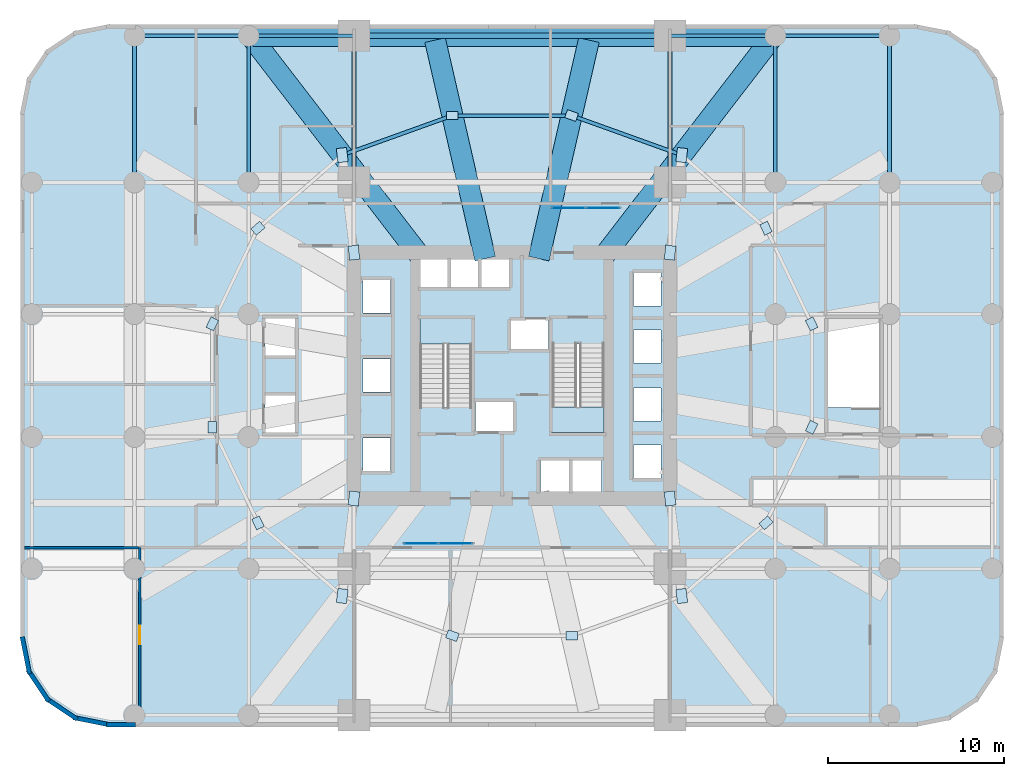
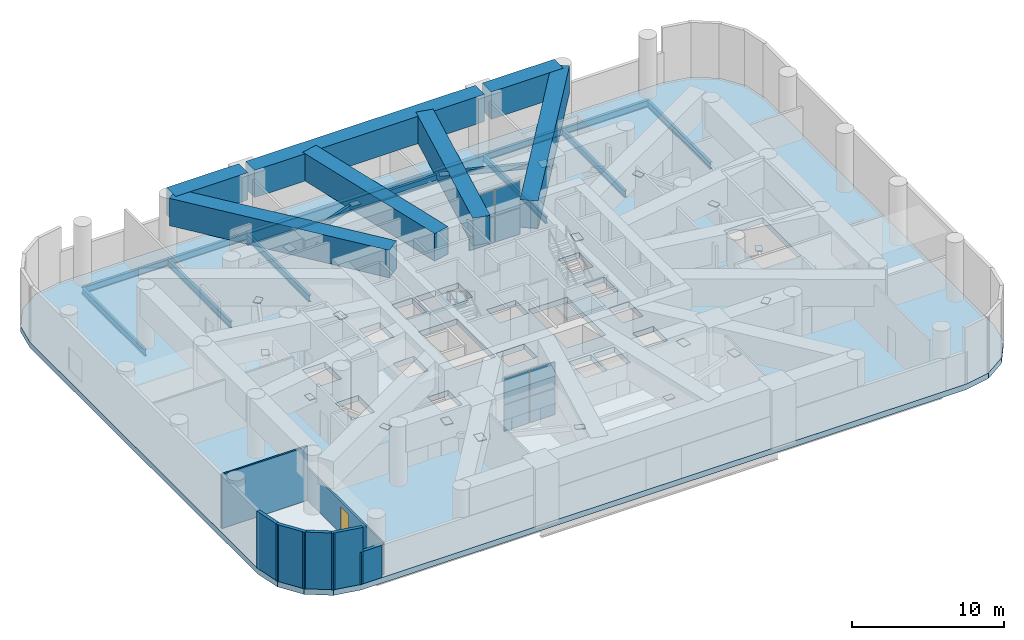
# One storey, part 5 of 10: 28 plates, 18 beams, 7 walls, 3 members, 3 slabs, 1 door, 1 opening, 4 elements without a shape of their own.
"""IFC4 building model written with IfcOpenShell, lengths in metres."""

from ifc_helpers import new_model, si_unit, direction, frame, frame_2d, origin, origin_2d, place, context, subcontext, project, spatial, polyline, rectangle, hollow_rectangle, i_section, outline, extrude, material, layer, layer_set, material_profile, profile_set, type_object, element, fill, aggregate, save


model = new_model("IFC4")

# Units and contexts
model_context = context("Model", 3, precision=1e-05, world=origin(), true_north=direction((0.0, 1.0)))
body_context = subcontext(model_context, "Body", "Model", "MODEL_VIEW")
ifc_project = project(units=[si_unit("LENGTHUNIT", "METRE"), si_unit("AREAUNIT", "SQUARE_METRE"), si_unit("VOLUMEUNIT", "CUBIC_METRE"), si_unit("PLANEANGLEUNIT", "RADIAN"), si_unit("MASSUNIT", "GRAM", prefix="KILO")], contexts=[model_context])

# Site, building, storey
site_placement = place(None, origin())
site = spatial("IfcSite", under=ifc_project, at=site_placement, CompositionType="ELEMENT")
building_placement = place(site_placement, origin())
building = spatial("IfcBuilding", under=site, at=building_placement, Name="Veldorim Arch Residences", CompositionType="ELEMENT")
storey_placement = place(building_placement, frame((0.0, 0.0, 20.0)))
storey = spatial("IfcBuildingStorey", under=building, at=storey_placement, Name="L05", CompositionType="ELEMENT", Elevation=20.0)

# Beams
ifc_material_1 = material(Name="Concrete C60/75", Category="concrete")
ifc_material_profile_1 = material_profile(ifc_material_1, rectangle(XDim=1.199951171875, YDim=2.199951171875, at=origin_2d()), Name="RC_RECT_1200x2200")
ifc_profile_set_1 = profile_set([ifc_material_profile_1], Name="Concrete C60/75")
beam_type_1 = type_object("IfcBeamType", Name="Reinforced Concrete TRANSFER GIRDER RC_RECT_1200x2200", PredefinedType="USERDEFINED", material=ifc_profile_set_1)
beam_1_placement = place(storey_placement, frame((17.25, 43.35009765625, 3.699951171875), z_axis=(1.0, 0.0, 0.0), x_axis=(0.0, 1.0, 0.0)))
element("IfcBeam", 1, at=beam_1_placement, inside=storey, type_object=beam_type_1, Name="L05 primary east-west transfer girder Y=43.35 W", ObjectType="TRANSFER GIRDER", PredefinedType="USERDEFINED", context=body_context, shape_type="SweptSolid", body=[
    extrude(rectangle(XDim=1.199951171875, YDim=2.199951171875, at=origin_2d()), origin(), (0.0, 0.0, 1.0), 5.5),
])
beam_2_placement = place(storey_placement, frame((23.25, 43.35009765625, 3.699951171875), z_axis=(1.0, 0.0, 0.0), x_axis=(0.0, 1.0, 0.0)))
element("IfcBeam", 2, at=beam_2_placement, inside=storey, type_object=beam_type_1, Name="L05 primary east-west transfer girder Y=43.35 M", ObjectType="TRANSFER GIRDER", PredefinedType="USERDEFINED", context=body_context, shape_type="SweptSolid", body=[
    extrude(rectangle(XDim=1.199951171875, YDim=2.199951171875, at=origin_2d()), origin(), (0.0, 0.0, 1.0), 17.5),
])
beam_3_placement = place(storey_placement, frame((41.25, 43.35009765625, 3.699951171875), z_axis=(1.0, 0.0, 0.0), x_axis=(0.0, 1.0, 0.0)))
element("IfcBeam", 3, at=beam_3_placement, inside=storey, type_object=beam_type_1, Name="L05 primary east-west transfer girder Y=43.35 E", ObjectType="TRANSFER GIRDER", PredefinedType="USERDEFINED", context=body_context, shape_type="SweptSolid", body=[
    extrude(rectangle(XDim=1.199951171875, YDim=2.199951171875, at=origin_2d()), origin(), (0.0, 0.0, 1.0), 5.5),
])
beam_4_placement = place(storey_placement, frame((37.17626953125, 30.72265625, 3.699951171875), z_axis=(0.610067218595, 0.792349663214, 0.0), x_axis=(-0.792349663214, 0.610067218595, 0.0)))
element("IfcBeam", 4, at=beam_4_placement, inside=storey, type_object=beam_type_1, Name="L05 radial transfer girder 03", ObjectType="TRANSFER GIRDER", PredefinedType="USERDEFINED", context=body_context, shape_type="SweptSolid", body=[
    extrude(rectangle(XDim=1.199951171875, YDim=2.199951171875, at=origin_2d()), origin(), (0.0, 0.0, 1.0), 15.6865234375),
])
for number, where, z_axis, x_axis, name in (
    (5, (33.5263671875, 30.65869140625, 3.699951171875), (0.223411348819, 0.974724252914, 0.0), (-0.974724252914, 0.223411348819, 0.0), "L05 radial transfer girder 04"),
    (6, (30.4736328125, 30.65869140625, 3.699951171875), (-0.223411348819, 0.974724252914, 0.0), (-0.974724252914, -0.223411348819, 0.0), "L05 radial transfer girder 05"),
):
    element("IfcBeam", number, at=place(storey_placement, frame(where, z_axis=z_axis, x_axis=x_axis)), inside=storey, type_object=beam_type_1, Name=name, ObjectType="TRANSFER GIRDER", PredefinedType="USERDEFINED", context=body_context, shape_type="SweptSolid", body=[
        extrude(rectangle(XDim=1.199951171875, YDim=2.199951171875, at=origin_2d()), origin(), (0.0, 0.0, 1.0), 12.770263671875),
    ])
beam_5_placement = place(storey_placement, frame((26.82373046875, 30.72265625, 3.699951171875), z_axis=(-0.610067218595, 0.792349663214, 0.0), x_axis=(-0.792349663214, -0.610067218595, 0.0)))
element("IfcBeam", 7, at=beam_5_placement, inside=storey, type_object=beam_type_1, Name="L05 radial transfer girder 06", ObjectType="TRANSFER GIRDER", PredefinedType="USERDEFINED", context=body_context, shape_type="SweptSolid", body=[
    extrude(rectangle(XDim=1.199951171875, YDim=2.199951171875, at=origin_2d()), origin(), (0.0, 0.0, 1.0), 15.6865234375),
])
ifc_material_2 = material(Name="Steel S355", Category="steel")
ifc_material_profile_2 = material_profile(ifc_material_2, i_section(OverallWidth=0.2099609375, OverallDepth=0.53662109375, WebThickness=0.0107421875, FlangeThickness=0.017333984375, at=origin_2d()), Name="UB533x210x101")
ifc_profile_set_2 = profile_set([ifc_material_profile_2], Name="Steel S355")
beam_type_2 = type_object("IfcBeamType", Name="Structural Steel Beam UB533x210x101", PredefinedType="BEAM", material=ifc_profile_set_2)
for number, where, z_axis, x_axis, name in (
    (8, (10.5, 35.0, -0.718505859375), (0.0, 1.0, 0.0), (-1.0, 0.0, 0.0), "L05 north-south floor beam (X=10.5, 35.0-43.4)"),
    (9, (17.0, 35.0, -0.718505859375), (0.0, 1.0, 0.0), (-1.0, 0.0, 0.0), "L05 north-south floor beam (X=17.0, 35.0-43.4)"),
    (10, (23.0, 35.0, -0.718505859375), (0.0, 1.0, 0.0), (-1.0, 0.0, 0.0), "L05 north-south floor beam (X=23.0, 35.0-43.4)"),
    (11, (41.0, 35.0, -0.718505859375), (0.0, 1.0, 0.0), (-1.0, 0.0, 0.0), "L05 north-south floor beam (X=41.0, 35.0-43.4)"),
    (12, (47.0, 35.0, -0.718505859375), (0.0, 1.0, 0.0), (-1.0, 0.0, 0.0), "L05 north-south floor beam (X=47.0, 35.0-43.4)"),
    (13, (53.5, 35.0, -0.718505859375), (0.0, 1.0, 0.0), (-1.0, 0.0, 0.0), "L05 north-south floor beam (X=53.5, 35.0-43.4)"),
):
    element("IfcBeam", number, at=place(storey_placement, frame(where, z_axis=z_axis, x_axis=x_axis)), inside=storey, type_object=beam_type_2, Name=name, PredefinedType="BEAM", context=body_context, shape_type="SweptSolid", body=[
        extrude(i_section(OverallWidth=0.2099609375, OverallDepth=0.53662109375, WebThickness=0.0107421875, FlangeThickness=0.017333984375, at=origin_2d()), origin(), (0.0, 0.0, 1.0), 8.35009765625),
    ])
ifc_material_3 = material(Name="Steel S355", Category="steel")
ifc_material_profile_3 = material_profile(ifc_material_3, i_section(OverallWidth=0.2119140625, OverallDepth=0.54443359375, WebThickness=0.0126953125, FlangeThickness=0.021240234375, at=origin_2d()), Name="UB533x210x122")
ifc_profile_set_3 = profile_set([ifc_material_profile_3], Name="Steel S355")
beam_type_3 = type_object("IfcBeamType", Name="Structural Steel Beam UB533x210x122", PredefinedType="BEAM", material=ifc_profile_set_3)
beam_6_placement = place(storey_placement, frame((10.5, 43.35009765625, -0.72216796875), z_axis=(1.0, 0.0, 0.0), x_axis=(0.0, 1.0, 0.0)))
element("IfcBeam", 14, at=beam_6_placement, inside=storey, type_object=beam_type_3, Name="L05 east-west floor beam (10.5-17.0, Y=43.4)", PredefinedType="BEAM", context=body_context, shape_type="SweptSolid", body=[
    extrude(i_section(OverallWidth=0.2119140625, OverallDepth=0.54443359375, WebThickness=0.0126953125, FlangeThickness=0.021240234375, at=origin_2d()), origin(), (0.0, 0.0, 1.0), 6.5),
])
for number, where, z_axis, x_axis, name in (
    (15, (17.0, 43.35009765625, -0.72216796875), (1.0, 0.0, 0.0), (0.0, 1.0, 0.0), "L05 east-west floor beam (17.0-23.0, Y=43.4)"),
    (16, (41.0, 43.35009765625, -0.72216796875), (1.0, 0.0, 0.0), (0.0, 1.0, 0.0), "L05 east-west floor beam (41.0-47.0, Y=43.4)"),
):
    element("IfcBeam", number, at=place(storey_placement, frame(where, z_axis=z_axis, x_axis=x_axis)), inside=storey, type_object=beam_type_3, Name=name, PredefinedType="BEAM", context=body_context, shape_type="SweptSolid", body=[
        extrude(i_section(OverallWidth=0.2119140625, OverallDepth=0.54443359375, WebThickness=0.0126953125, FlangeThickness=0.021240234375, at=origin_2d()), origin(), (0.0, 0.0, 1.0), 6.0),
    ])
beam_7_placement = place(storey_placement, frame((47.0, 43.35009765625, -0.72216796875), z_axis=(1.0, 0.0, 0.0), x_axis=(0.0, 1.0, 0.0)))
element("IfcBeam", 17, at=beam_7_placement, inside=storey, type_object=beam_type_3, Name="L05 east-west floor beam (47.0-53.5, Y=43.4)", PredefinedType="BEAM", context=body_context, shape_type="SweptSolid", body=[
    extrude(i_section(OverallWidth=0.2119140625, OverallDepth=0.54443359375, WebThickness=0.0126953125, FlangeThickness=0.021240234375, at=origin_2d()), origin(), (0.0, 0.0, 1.0), 6.5),
])
ifc_material_4 = material(Name="Steel S460", Category="steel")
ifc_material_profile_4 = material_profile(ifc_material_4, i_section(OverallWidth=0.305419921875, OverallDepth=1.02587890625, WebThickness=0.02685546875, FlangeThickness=0.053955078125, at=origin_2d()), Name="UB1016x305x437")
ifc_profile_set_4 = profile_set([ifc_material_profile_4], Name="Steel S460")
beam_type_4 = type_object("IfcBeamType", Name="Structural Steel GIRDER UB1016x305x437", PredefinedType="USERDEFINED", material=ifc_profile_set_4)
beam_8_placement = place(storey_placement, frame((23.0, 43.35009765625, -0.962890625), z_axis=(1.0, 0.0, 0.0), x_axis=(0.0, 1.0, 0.0)))
element("IfcBeam", 18, at=beam_8_placement, inside=storey, type_object=beam_type_4, Name="L05 east-west floor beam (23.0-41.0, Y=43.4)", ObjectType="GIRDER", PredefinedType="USERDEFINED", context=body_context, shape_type="SweptSolid", body=[
    extrude(i_section(OverallWidth=0.305419921875, OverallDepth=1.02587890625, WebThickness=0.02685546875, FlangeThickness=0.053955078125, at=origin_2d()), origin(), (0.0, 0.0, 1.0), 18.0),
])

# Members
ifc_material_5 = material(Name="Steel S460", Category="steel")
ifc_material_profile_5 = material_profile(ifc_material_5, hollow_rectangle(XDim=0.199951171875, YDim=0.39990234375, WallThickness=0.01611328125, at=origin_2d()), Name="RHS400x200x16")
ifc_profile_set_5 = profile_set([ifc_material_profile_5], Name="Steel S460")
member_type = type_object("IfcMemberType", Name="Truss Chord RHS400x200x16", PredefinedType="CHORD", material=ifc_profile_set_5)
member_1_placement = place(storey_placement, frame((41.6669921875, 36.55517578125, 2.64990234375), z_axis=(-0.941052127441, 0.338261575468, 0.0), x_axis=(-0.338261575468, -0.941052127441, 0.0)))
element("IfcMember", 19, at=member_1_placement, inside=storey, type_object=member_type, Name="L05 transfer ring tie chord 03", PredefinedType="CHORD", context=body_context, shape_type="SweptSolid", body=[
    extrude(hollow_rectangle(XDim=0.199951171875, YDim=0.39990234375, WallThickness=0.01611328125, at=origin_2d()), origin(), (0.0, 0.0, 1.0), 6.665283203125),
])
member_2_placement = place(storey_placement, frame((35.39453125, 38.809814453125, 2.64990234375), z_axis=(-1.0, 0.0, 0.0), x_axis=(0.0, -1.0, 0.0)))
element("IfcMember", 20, at=member_2_placement, inside=storey, type_object=member_type, Name="L05 transfer ring tie chord 04", PredefinedType="CHORD", context=body_context, shape_type="SweptSolid", body=[
    extrude(hollow_rectangle(XDim=0.199951171875, YDim=0.39990234375, WallThickness=0.01611328125, at=origin_2d()), origin(), (0.0, 0.0, 1.0), 6.7890625),
])
member_3_placement = place(storey_placement, frame((28.60546875, 38.809814453125, 2.64990234375), z_axis=(-0.941052127441, -0.338261575468, 0.0), x_axis=(0.338261575468, -0.941052127441, 0.0)))
element("IfcMember", 21, at=member_3_placement, inside=storey, type_object=member_type, Name="L05 transfer ring tie chord 05", PredefinedType="CHORD", context=body_context, shape_type="SweptSolid", body=[
    extrude(hollow_rectangle(XDim=0.199951171875, YDim=0.39990234375, WallThickness=0.01611328125, at=origin_2d()), origin(), (0.0, 0.0, 1.0), 6.665283203125),
])

# Curtain wall, plates
ifc_material_6 = material(Name="Aluminium", Category="aluminium")
curtain_wall_type = type_object("IfcCurtainWallType", Name="Crown Faceted Fritted Laminated Curtain Wall", PredefinedType="NOTDEFINED", material=ifc_material_6)
curtain_wall_1_placement = place(storey_placement, origin())
curtain_wall_1 = element("IfcCurtainWall", 22, at=curtain_wall_1_placement, inside=storey, type_object=curtain_wall_type, Name="L05 S arch bridge clerestory curtain wall", PredefinedType="NOTDEFINED")
ifc_material_7 = material(Name="Laminated Low-E Glass", Category="glass")
ifc_layer_1 = layer(ifc_material_7, 0.030029296875, Name="Crown Faceted Fritted Laminated Curtain Wall Glazing Panel 30")
ifc_layer_set_1 = layer_set([ifc_layer_1], Name="Laminated Low-E Glass")
plate_type_1 = type_object("IfcPlateType", Name="Crown Faceted Fritted Laminated Curtain Wall Glazing Panel 30", PredefinedType="CURTAIN_PANEL", material=ifc_layer_set_1)
plate_1_placement = place(storey_placement, frame((26.8173828125, 14.449951171875, 0.070068359375), z_axis=(0.0, 0.0, 1.0), x_axis=(1.0, 0.0, 0.0)))
plate_1 = element("IfcPlate", 23, at=plate_1_placement, type_object=plate_type_1, Name="CW-CRN panel 1.1", PredefinedType="CURTAIN_PANEL", context=body_context, shape_type="SweptSolid", body=[
    extrude(rectangle(XDim=1.89501953125, YDim=0.030029296875, at=origin_2d()), origin(), (0.0, 0.0, 1.0), 2.0849609375),
])
plate_2_placement = place(storey_placement, frame((26.8173828125, 14.449951171875, 2.22509765625), z_axis=(0.0, 0.0, 1.0), x_axis=(1.0, 0.0, 0.0)))
plate_2 = element("IfcPlate", 24, at=plate_2_placement, type_object=plate_type_1, Name="CW-CRN panel 1.2", PredefinedType="CURTAIN_PANEL", context=body_context, shape_type="SweptSolid", body=[
    extrude(rectangle(XDim=1.89501953125, YDim=0.030029296875, at=origin_2d()), origin(), (0.0, 0.0, 1.0), 2.0849609375),
])
plate_3_placement = place(storey_placement, frame((28.782470703125, 14.449951171875, 0.070068359375), z_axis=(0.0, 0.0, 1.0), x_axis=(1.0, 0.0, 0.0)))
plate_3 = element("IfcPlate", 25, at=plate_3_placement, type_object=plate_type_1, Name="CW-CRN panel 2.1", PredefinedType="CURTAIN_PANEL", context=body_context, shape_type="SweptSolid", body=[
    extrude(rectangle(XDim=1.89501953125, YDim=0.030029296875, at=origin_2d()), origin(), (0.0, 0.0, 1.0), 2.0849609375),
])
plate_4_placement = place(storey_placement, frame((28.782470703125, 14.449951171875, 2.22509765625), z_axis=(0.0, 0.0, 1.0), x_axis=(1.0, 0.0, 0.0)))
plate_4 = element("IfcPlate", 26, at=plate_4_placement, type_object=plate_type_1, Name="CW-CRN panel 2.2", PredefinedType="CURTAIN_PANEL", context=body_context, shape_type="SweptSolid", body=[
    extrude(rectangle(XDim=1.89501953125, YDim=0.030029296875, at=origin_2d()), origin(), (0.0, 0.0, 1.0), 2.0849609375),
])
aggregate(curtain_wall_1, [plate_1, plate_2, plate_3, plate_4])

curtain_wall_2_placement = place(storey_placement, origin())
curtain_wall_2 = element("IfcCurtainWall", 27, at=curtain_wall_2_placement, inside=storey, type_object=curtain_wall_type, Name="L05 N arch bridge clerestory curtain wall", PredefinedType="NOTDEFINED")
plate_5_placement = place(storey_placement, frame((35.217529296875, 33.550048828125, 0.070068359375), z_axis=(0.0, 0.0, 1.0), x_axis=(1.0, 0.0, 0.0)))
plate_5 = element("IfcPlate", 28, at=plate_5_placement, type_object=plate_type_1, Name="CW-CRN panel 1.1", PredefinedType="CURTAIN_PANEL", context=body_context, shape_type="SweptSolid", body=[
    extrude(rectangle(XDim=1.89501953125, YDim=0.030029296875, at=origin_2d()), origin(), (0.0, 0.0, 1.0), 2.0849609375),
])
plate_6_placement = place(storey_placement, frame((35.217529296875, 33.550048828125, 2.22509765625), z_axis=(0.0, 0.0, 1.0), x_axis=(1.0, 0.0, 0.0)))
plate_6 = element("IfcPlate", 29, at=plate_6_placement, type_object=plate_type_1, Name="CW-CRN panel 1.2", PredefinedType="CURTAIN_PANEL", context=body_context, shape_type="SweptSolid", body=[
    extrude(rectangle(XDim=1.89501953125, YDim=0.030029296875, at=origin_2d()), origin(), (0.0, 0.0, 1.0), 2.0849609375),
])
plate_7_placement = place(storey_placement, frame((37.1826171875, 33.550048828125, 0.070068359375), z_axis=(0.0, 0.0, 1.0), x_axis=(1.0, 0.0, 0.0)))
plate_7 = element("IfcPlate", 30, at=plate_7_placement, type_object=plate_type_1, Name="CW-CRN panel 2.1", PredefinedType="CURTAIN_PANEL", context=body_context, shape_type="SweptSolid", body=[
    extrude(rectangle(XDim=1.89501953125, YDim=0.030029296875, at=origin_2d()), origin(), (0.0, 0.0, 1.0), 2.0849609375),
])
plate_8_placement = place(storey_placement, frame((37.1826171875, 33.550048828125, 2.22509765625), z_axis=(0.0, 0.0, 1.0), x_axis=(1.0, 0.0, 0.0)))
plate_8 = element("IfcPlate", 31, at=plate_8_placement, type_object=plate_type_1, Name="CW-CRN panel 2.2", PredefinedType="CURTAIN_PANEL", context=body_context, shape_type="SweptSolid", body=[
    extrude(rectangle(XDim=1.89501953125, YDim=0.030029296875, at=origin_2d()), origin(), (0.0, 0.0, 1.0), 2.0849609375),
])
aggregate(curtain_wall_2, [plate_5, plate_6, plate_7, plate_8])

# Slab
ifc_material_8 = material(Name="Concrete C50/60", Category="concrete")
ifc_layer_2 = layer(ifc_material_8, 0.449951171875, Name="L05 Podium Transfer Deck Slab 450")
ifc_layer_set_2 = layer_set([ifc_layer_2], Name="Concrete C50/60")
slab_type_1 = type_object("IfcSlabType", Name="L05 Podium Transfer Deck Slab 450", PredefinedType="FLOOR", material=ifc_layer_set_2)
slab_1_placement = place(storey_placement, frame((0.0, 0.0, -0.449951171875)))
element("IfcSlab", 32, at=slab_1_placement, inside=storey, type_object=slab_type_1, Name="L05 podium transfer deck slab", PredefinedType="FLOOR", context=body_context, shape_type="SweptSolid", body=[
    extrude(outline(polyline([(55.0, 4.0), (56.913330078125, 4.380615234375), (58.535400390625, 5.464599609375), (59.619384765625, 7.086669921875), (60.0, 9.0), (60.0, 39.0), (59.619384765625, 40.913330078125), (58.535400390625, 42.535400390625), (56.913330078125, 43.619384765625), (55.0, 44.0), (9.0, 44.0), (7.086669921875, 43.619384765625), (5.464599609375, 42.535400390625), (4.380615234375, 40.913330078125), (4.0, 39.0), (4.0, 9.0), (4.380615234375, 7.086669921875), (5.464599609375, 5.464599609375), (7.086669921875, 4.380615234375), (9.0, 4.0), (55.0, 4.0)]), holes=[polyline([(23.510009765625, 20.43994140625), (25.090087890625, 20.43994140625), (25.090087890625, 18.56005859375), (23.510009765625, 18.56005859375), (23.510009765625, 20.43994140625)]), polyline([(29.909912109375, 22.544921875), (32.090087890625, 22.544921875), (32.090087890625, 20.81494140625), (29.909912109375, 20.81494140625), (29.909912109375, 22.544921875)]), polyline([(17.93505859375, 22.889892578125), (19.6650390625, 22.889892578125), (19.6650390625, 20.7099609375), (17.93505859375, 20.7099609375), (17.93505859375, 22.889892578125)]), polyline([(23.510009765625, 24.93994140625), (25.090087890625, 24.93994140625), (25.090087890625, 23.06005859375), (23.510009765625, 23.06005859375), (23.510009765625, 24.93994140625)]), polyline([(26.75, 27.25), (29.7099609375, 27.25), (29.7099609375, 22.195068359375), (26.75, 22.195068359375), (26.75, 27.25)]), polyline([(17.93505859375, 27.2900390625), (19.6650390625, 27.2900390625), (19.6650390625, 25.110107421875), (17.93505859375, 25.110107421875), (17.93505859375, 27.2900390625)]), polyline([(23.510009765625, 29.43994140625), (25.090087890625, 29.43994140625), (25.090087890625, 27.56005859375), (23.510009765625, 27.56005859375), (23.510009765625, 29.43994140625)]), polyline([(28.340087890625, 30.7900390625), (28.340087890625, 28.909912109375), (26.760009765625, 28.909912109375), (26.760009765625, 30.7900390625), (28.340087890625, 30.7900390625)]), polyline([(30.090087890625, 30.7900390625), (30.090087890625, 28.909912109375), (28.510009765625, 28.909912109375), (28.510009765625, 30.7900390625), (30.090087890625, 30.7900390625)]), polyline([(30.260009765625, 30.7900390625), (31.840087890625, 30.7900390625), (31.840087890625, 28.909912109375), (30.260009765625, 28.909912109375), (30.260009765625, 30.7900390625)]), polyline([(33.610107421875, 19.2900390625), (35.2900390625, 19.2900390625), (35.2900390625, 17.2099609375), (33.610107421875, 17.2099609375), (33.610107421875, 19.2900390625)]), polyline([(35.409912109375, 19.2900390625), (37.090087890625, 19.2900390625), (37.090087890625, 17.2099609375), (35.409912109375, 17.2099609375), (35.409912109375, 19.2900390625)]), polyline([(40.489990234375, 20.0400390625), (40.489990234375, 18.159912109375), (38.909912109375, 18.159912109375), (38.909912109375, 20.0400390625), (40.489990234375, 20.0400390625)]), polyline([(40.489990234375, 23.2900390625), (40.489990234375, 21.409912109375), (38.909912109375, 21.409912109375), (38.909912109375, 23.2900390625), (40.489990234375, 23.2900390625)]), polyline([(34.2900390625, 25.804931640625), (37.25, 25.804931640625), (37.25, 20.75), (34.2900390625, 20.75), (34.2900390625, 25.804931640625)]), polyline([(50.0, 27.25), (52.9599609375, 27.25), (52.9599609375, 22.195068359375), (50.0, 22.195068359375), (50.0, 27.25)]), polyline([(38.909912109375, 26.590087890625), (40.489990234375, 26.590087890625), (40.489990234375, 24.7099609375), (38.909912109375, 24.7099609375), (38.909912109375, 26.590087890625)]), polyline([(34.090087890625, 27.18505859375), (34.090087890625, 25.455078125), (31.909912109375, 25.455078125), (31.909912109375, 27.18505859375), (34.090087890625, 27.18505859375)]), polyline([(40.489990234375, 29.840087890625), (40.489990234375, 27.9599609375), (38.909912109375, 27.9599609375), (38.909912109375, 29.840087890625), (40.489990234375, 29.840087890625)])]), origin(), (0.0, 0.0, 1.0), 0.449951171875),
])

# Stair, slab
ifc_material_9 = material(Name="Concrete C40/50", Category="concrete")
stair_type = type_object("IfcStairType", Name="Reinforced Concrete Dogleg Exit Staircase", PredefinedType="HALF_TURN_STAIR", material=ifc_material_9)
stair_1_placement = place(storey_placement, origin())
stair_1 = element("IfcStair", 33, at=stair_1_placement, inside=storey, type_object=stair_type, Name="L05 Exit Staircase ST-1", PredefinedType="HALF_TURN_STAIR")
ifc_material_10 = material(Name="Concrete C40/50", Category="concrete")
ifc_layer_3 = layer(ifc_material_10, 0.199951171875, Name="Reinforced Concrete Stair Landing 200")
ifc_layer_set_3 = layer_set([ifc_layer_3], Name="Concrete C40/50")
slab_type_2 = type_object("IfcSlabType", Name="Reinforced Concrete Stair Landing 200", PredefinedType="LANDING", material=ifc_layer_set_3)
slab_2_placement = place(storey_placement, frame((0.0, 0.0, 2.199951171875)))
slab_2 = element("IfcSlab", 34, at=slab_2_placement, type_object=slab_type_2, Name="ST-1 landing 1", PredefinedType="LANDING", context=body_context, shape_type="SweptSolid", body=[
    extrude(outline(polyline([(29.7099609375, 25.7900390625), (29.7099609375, 27.25), (26.75, 27.25), (26.75, 25.7900390625), (29.7099609375, 25.7900390625)])), origin(), (0.0, 0.0, 1.0), 0.199951171875),
])
aggregate(stair_1, [slab_2])

stair_2_placement = place(storey_placement, origin())
stair_2 = element("IfcStair", 35, at=stair_2_placement, inside=storey, type_object=stair_type, Name="L05 Exit Staircase ST-2", PredefinedType="HALF_TURN_STAIR")
slab_3_placement = place(storey_placement, frame((0.0, 0.0, 2.199951171875)))
slab_3 = element("IfcSlab", 36, at=slab_3_placement, type_object=slab_type_2, Name="ST-2 landing 1", PredefinedType="LANDING", context=body_context, shape_type="SweptSolid", body=[
    extrude(outline(polyline([(34.2900390625, 22.2099609375), (34.2900390625, 20.75), (37.25, 20.75), (37.25, 22.2099609375), (34.2900390625, 22.2099609375)])), origin(), (0.0, 0.0, 1.0), 0.199951171875),
])
aggregate(stair_2, [slab_3])

# Plates
ifc_material_11 = material(Name="Steel S355", Category="steel")
ifc_layer_4 = layer(ifc_material_11, 0.035888671875, Name="Welded Hollow-Section End-Cap & Gusset Plate 36")
ifc_layer_set_4 = layer_set([ifc_layer_4], Name="Steel S355")
plate_type_2 = type_object("IfcPlateType", Name="Welded Hollow-Section End-Cap & Gusset Plate 36", PredefinedType="USERDEFINED", material=ifc_layer_set_4)
for number, where, z_axis, x_axis, name in (
    (37, (23.0, 17.0, 0.33203125), (0.0, 0.0, 1.0), (-0.119201133865, -0.9928701273, 0.0), "L05 corner transfer compression strut 01 welded joint gusset plate 1"),
    (38, (22.3330078125, 11.44482421875, 2.6318359375), (0.0, 0.0, 1.0), (-0.119201133865, -0.9928701273, 0.0), "L05 corner transfer compression strut 01 welded joint gusset plate 2"),
    (39, (41.0, 17.0, 0.33203125), (0.0, 0.0, 1.0), (0.119201133865, -0.9928701273, 0.0), "L05 corner transfer compression strut 02 welded joint gusset plate 1"),
    (40, (41.6669921875, 11.44482421875, 2.6318359375), (0.0, 0.0, 1.0), (0.119201133865, -0.9928701273, 0.0), "L05 corner transfer compression strut 02 welded joint gusset plate 2"),
    (41, (41.0, 31.0, 0.33203125), (0.0, 0.0, 1.0), (0.119201133865, 0.9928701273, 0.0), "L05 corner transfer compression strut 03 welded joint gusset plate 1"),
    (42, (41.6669921875, 36.55517578125, 2.6318359375), (0.0, 0.0, 1.0), (0.119201133865, 0.9928701273, 0.0), "L05 corner transfer compression strut 03 welded joint gusset plate 2"),
    (43, (23.0, 31.0, 0.33203125), (0.0, 0.0, 1.0), (-0.119201133865, 0.9928701273, 0.0), "L05 corner transfer compression strut 04 welded joint gusset plate 1"),
    (44, (22.3330078125, 36.55517578125, 2.6318359375), (0.0, 0.0, 1.0), (-0.119201133865, 0.9928701273, 0.0), "L05 corner transfer compression strut 04 welded joint gusset plate 2"),
):
    element("IfcPlate", number, at=place(storey_placement, frame(where, z_axis=z_axis, x_axis=x_axis)), inside=storey, type_object=plate_type_2, Name=name, ObjectType="GUSSET PLATE", PredefinedType="USERDEFINED", context=body_context, shape_type="SweptSolid", body=[
        extrude(rectangle(XDim=0.81103515625, YDim=0.587890625, at=origin_2d()), origin(), (0.0, 0.0, 1.0), 0.035888671875),
    ])
for number, where, z_axis, x_axis, name in (
    (45, (49.065673828125, 26.94580078125, 2.6318359375), (0.0, 0.0, 1.0), (-0.430763129379, 0.902465027781, 0.0), "L05 transfer ring tie chord 01 welded joint gusset plate 1"),
    (46, (46.467529296875, 32.38916015625, 2.6318359375), (0.0, 0.0, 1.0), (-0.430763129379, 0.902465027781, 0.0), "L05 transfer ring tie chord 01 welded joint gusset plate 2"),
    (47, (35.39453125, 38.809814453125, 2.6318359375), (0.0, 0.0, 1.0), (-0.941046195173, 0.338278078731, 0.0), "L05 transfer ring tie chord 03 welded joint gusset plate 2"),
    (48, (28.60546875, 38.809814453125, 2.6318359375), (0.0, 0.0, 1.0), (-1.0, 0.0, 0.0), "L05 transfer ring tie chord 04 welded joint gusset plate 2"),
    (49, (17.532470703125, 32.38916015625, 2.6318359375), (0.0, 0.0, 1.0), (-0.755258934043, -0.655426534821, 0.0), "L05 transfer ring tie chord 06 welded joint gusset plate 2"),
    (50, (14.934326171875, 26.94580078125, 2.6318359375), (0.0, 0.0, 1.0), (-0.430763129379, -0.902465027781, 0.0), "L05 transfer ring tie chord 07 welded joint gusset plate 2"),
    (51, (14.934326171875, 21.05419921875, 2.6318359375), (0.0, 0.0, 1.0), (0.0, -1.0, 0.0), "L05 transfer ring tie chord 08 welded joint gusset plate 2"),
    (52, (17.532470703125, 15.61083984375, 2.6318359375), (0.0, 0.0, 1.0), (0.430763129379, -0.902465027781, 0.0), "L05 transfer ring tie chord 09 welded joint gusset plate 2"),
    (53, (28.60546875, 9.190185546875, 2.6318359375), (0.0, 0.0, 1.0), (0.941046195173, -0.338278078731, 0.0), "L05 transfer ring tie chord 11 welded joint gusset plate 2"),
    (54, (35.39453125, 9.190185546875, 2.6318359375), (0.0, 0.0, 1.0), (1.0, 0.0, 0.0), "L05 transfer ring tie chord 12 welded joint gusset plate 2"),
    (55, (46.467529296875, 15.61083984375, 2.6318359375), (0.0, 0.0, 1.0), (0.755258934043, 0.655426534821, 0.0), "L05 transfer ring tie chord 14 welded joint gusset plate 2"),
    (56, (49.065673828125, 21.05419921875, 2.6318359375), (0.0, 0.0, 1.0), (0.430763129379, 0.902465027781, 0.0), "L05 transfer ring tie chord 15 welded joint gusset plate 2"),
):
    element("IfcPlate", number, at=place(storey_placement, frame(where, z_axis=z_axis, x_axis=x_axis)), inside=storey, type_object=plate_type_2, Name=name, ObjectType="GUSSET PLATE", PredefinedType="USERDEFINED", context=body_context, shape_type="SweptSolid", body=[
        extrude(rectangle(XDim=0.662109375, YDim=0.47998046875, at=origin_2d()), origin(), (0.0, 0.0, 1.0), 0.035888671875),
    ])

# Wall, opening, door
ifc_material_12 = material(Name="Acoustic Gypsum Board", Category="gypsum")
ifc_layer_5 = layer(ifc_material_12, 0.125, Name="Acoustic Stud Room Partition Wall 125")
ifc_layer_set_5 = layer_set([ifc_layer_5], Name="Acoustic Gypsum Board")
wall_type_1 = type_object("IfcWallType", Name="Acoustic Stud Room Partition Wall 125", PredefinedType="PARTITIONING", material=ifc_layer_set_5)
wall_1_placement = place(storey_placement, frame((10.800048828125, 14.199951171875, 0.0), z_axis=(0.0, 0.0, 1.0), x_axis=(0.0, -1.0, 0.0)))
wall_1 = element("IfcWall", 57, at=wall_1_placement, inside=storey, type_object=wall_type_1, Name="L05 interior wall WL-POD-L05-021", PredefinedType="PARTITIONING", context=body_context, shape_type="SweptSolid", body=[
    extrude(rectangle(XDim=9.949951171875, YDim=0.125, at=frame_2d((4.97509765625, 0.0))), origin(), (0.0, 0.0, 1.0), 2.587890625),
])
opening_placement = place(wall_1_placement, frame((4.449951171875, 0.0, 0.0)))
opening = element("IfcOpeningElement", 58, at=opening_placement, cuts=wall_1, Name="Opening DR-CLN", PredefinedType="OPENING", context=body_context, shape_type="SweptSolid", body=[
    extrude(rectangle(XDim=1.050048828125, YDim=2.14990234375, at=frame_2d((0.52490234375, 1.074951171875))), frame((0.0, 0.072509765625, 0.0), z_axis=(0.0, -1.0, 0.0), x_axis=(1.0, 0.0, 0.0)), (0.0, 0.0, 1.0), 0.14501953125),
])
ifc_material_13 = material(Name="Timber & Vision Panel", Category="wood")
door_type = type_object("IfcDoorType", Name="Polyclinic Wheelchair-Accessible Consultation Door 1050x2150", OperationType="SINGLE_SWING_LEFT", PredefinedType="DOOR", material=ifc_material_13)
door_placement = place(opening_placement, origin())
door = element("IfcDoor", 59, at=door_placement, inside=storey, type_object=door_type, Name="L05 interior door DR-POD-L05-001", OperationType="SINGLE_SWING_LEFT", OverallHeight=2.14990234375, OverallWidth=1.050048828125, PredefinedType="DOOR", context=body_context, shape_type="SweptSolid", body=[
    extrude(rectangle(XDim=1.050048828125, YDim=2.14990234375, at=frame_2d((0.52490234375, 1.074951171875))), frame((0.0, 0.02490234375, 0.0), z_axis=(0.0, -1.0, 0.0), x_axis=(1.0, 0.0, 0.0)), (0.0, 0.0, 1.0), 0.050048828125),
])
fill(opening, door)

# Walls
wall_2_placement = place(storey_placement, frame((4.25, 14.199951171875, 0.0), z_axis=(0.0, 0.0, 1.0), x_axis=(1.0, 0.0, 0.0)))
element("IfcWall", 60, at=wall_2_placement, inside=storey, type_object=wall_type_1, Name="L05 interior wall WL-POD-L05-022", PredefinedType="PARTITIONING", context=body_context, shape_type="SweptSolid", body=[
    extrude(rectangle(XDim=6.489990234375, YDim=0.125, at=frame_2d((3.2451171875, 0.0))), origin(), (0.0, 0.0, 1.0), 4.344970703125),
])
ifc_material_14 = material(Name="Precast concrete C40/50", Category="concrete")
ifc_layer_6 = layer(ifc_material_14, 0.25, Name="Podium Terracotta Insulated Facade Wall 250")
ifc_layer_set_6 = layer_set([ifc_layer_6], Name="Precast concrete C40/50")
wall_type_2 = type_object("IfcWallType", Name="Podium Terracotta Insulated Facade Wall 250", PredefinedType="SOLIDWALL", material=ifc_layer_set_6)
wall_3_placement = place(storey_placement, frame((4.522705078125, 7.012939453125, 0.0), z_axis=(0.0, 0.0, 1.0), x_axis=(-0.195111965738, 0.980780974951, 0.0)))
element("IfcWall", 61, at=wall_3_placement, inside=storey, type_object=wall_type_2, Name="L05 podium terracotta facade wall 15", PredefinedType="SOLIDWALL", context=body_context, shape_type="SweptSolid", body=[
    extrude(rectangle(XDim=2.15087890625, YDim=0.25, at=frame_2d((1.075439453125, 0.0))), origin(), (0.0, 0.0, 1.0), 4.56005859375),
])
for number, where, z_axis, x_axis, name in (
    (62, (5.6240234375, 5.45068359375, 0.0), (0.0, 0.0, 1.0), (-0.555564214653, 0.831473633615, 0.0), "L05 podium terracotta facade wall 16"),
    (63, (7.2392578125, 4.428955078125, 0.0), (0.0, 0.0, 1.0), (-0.831473633615, 0.555564214653, 0.0), "L05 podium terracotta facade wall 17"),
):
    element("IfcWall", number, at=place(storey_placement, frame(where, z_axis=z_axis, x_axis=x_axis)), inside=storey, type_object=wall_type_2, Name=name, PredefinedType="SOLIDWALL", context=body_context, shape_type="SweptSolid", body=[
        extrude(rectangle(XDim=2.151123046875, YDim=0.25, at=frame_2d((1.07568359375, 0.0))), origin(), (0.0, 0.0, 1.0), 4.56005859375),
    ])
wall_4_placement = place(storey_placement, frame((9.12255859375, 4.10302734375, 0.0), z_axis=(0.0, 0.0, 1.0), x_axis=(-0.980780974951, 0.195111965738, 0.0)))
element("IfcWall", 64, at=wall_4_placement, inside=storey, type_object=wall_type_2, Name="L05 podium terracotta facade wall 18", PredefinedType="SOLIDWALL", context=body_context, shape_type="SweptSolid", body=[
    extrude(rectangle(XDim=2.15087890625, YDim=0.25, at=frame_2d((1.075439453125, 0.0))), origin(), (0.0, 0.0, 1.0), 4.56005859375),
])
wall_5_placement = place(storey_placement, frame((10.550048828125, 4.125, 0.0), z_axis=(0.0, 0.0, 1.0), x_axis=(-1.0, 0.0, 0.0)))
element("IfcWall", 65, at=wall_5_placement, inside=storey, type_object=wall_type_2, Name="L05 podium facade pier wall 19B", PredefinedType="SOLIDWALL", context=body_context, shape_type="SweptSolid", body=[
    extrude(rectangle(XDim=1.650146484375, YDim=0.25, at=frame_2d((0.8251953125, 0.0))), origin(), (0.0, 0.0, 1.0), 2.594970703125),
])

save(model, "model.ifc")
